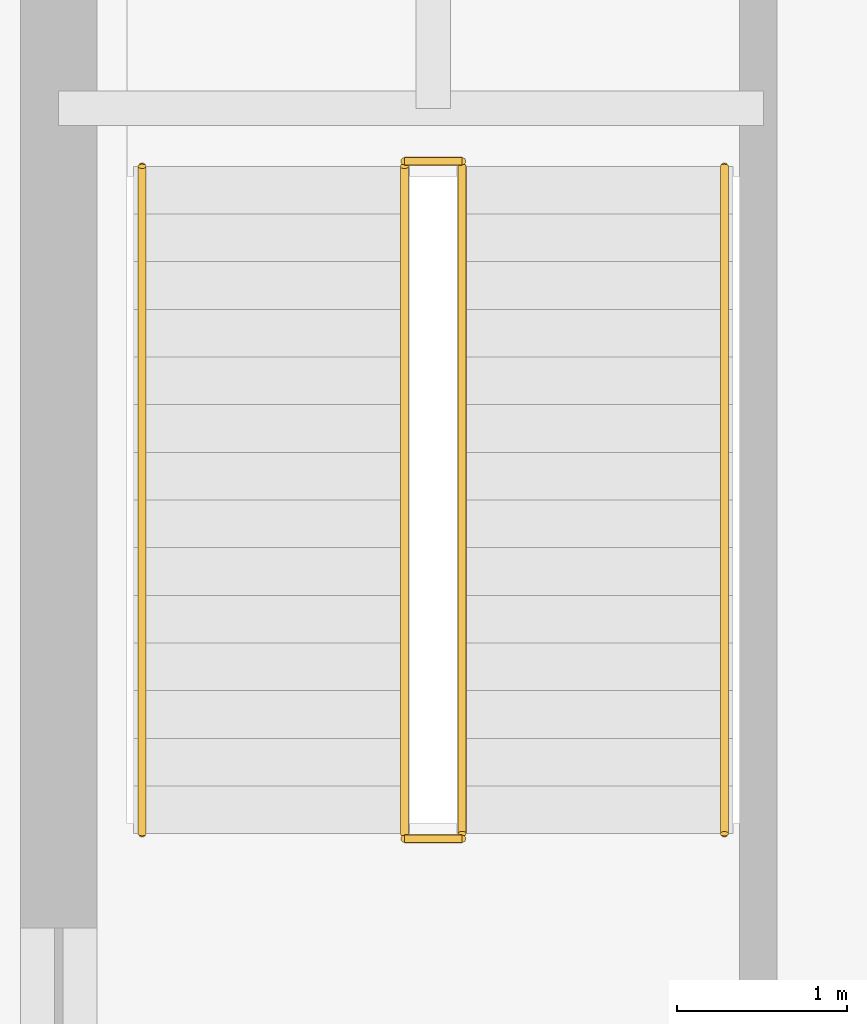
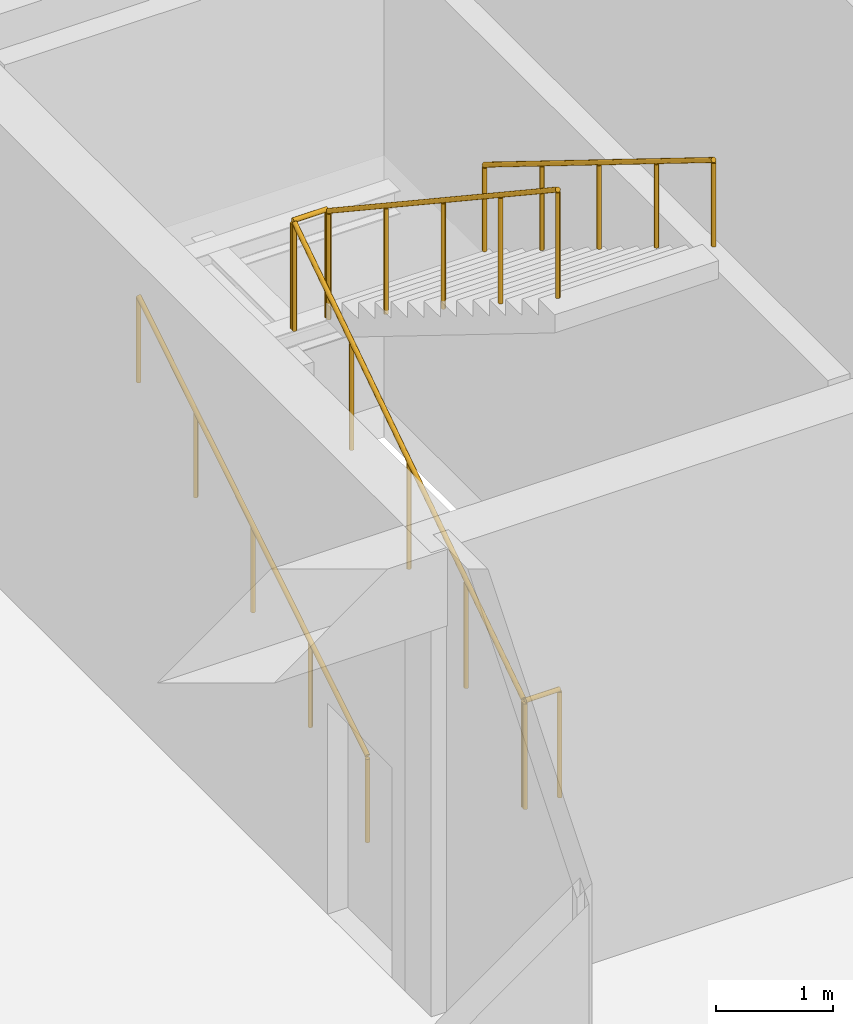
# One storey, part 21 of 24: 6 railings.
"""IFC4 building model written with IfcOpenShell, lengths in metres."""

from ifc_helpers import new_model, si_unit, direction, frame, origin, origin_2d, place, context, subcontext, project, spatial, circle, extrude, material, type_object, element, save


model = new_model("IFC4")

# Units and contexts
model_context = context("Model", 3, precision=1e-05, world=origin(), true_north=direction((0.0, 1.0)))
body_context = subcontext(model_context, "Body", "Model", "MODEL_VIEW")
ifc_project = project(units=[si_unit("LENGTHUNIT", "METRE"), si_unit("AREAUNIT", "SQUARE_METRE"), si_unit("VOLUMEUNIT", "CUBIC_METRE"), si_unit("PLANEANGLEUNIT", "RADIAN"), si_unit("MASSUNIT", "GRAM", prefix="KILO")], contexts=[model_context])

# Site, building, storey
site_placement = place(None, origin())
site = spatial("IfcSite", under=ifc_project, at=site_placement, CompositionType="ELEMENT")
building_placement = place(site_placement, origin())
building = spatial("IfcBuilding", under=site, at=building_placement, Name="Norrvale University Quadrangle", CompositionType="ELEMENT")
storey_placement = place(building_placement, origin())
storey = spatial("IfcBuildingStorey", under=building, at=storey_placement, Name="L00", CompositionType="ELEMENT", Elevation=0.0)

# Railings
ifc_material_1 = material(Name="Steel 350W Painted Balustrade", Category="steel")
railing_type_1 = type_object("IfcRailingType", Name="Railing Stair Guard 1100", PredefinedType="GUARDRAIL", material=ifc_material_1)
for number, where, name in (
    (1, (120.830078125, 21.27001953125, 0.0), "Stair Floor Well Guard ST-L1 L00"),
    (2, (120.830078125, 25.25, 2.60009765625), "Stair Mid-Landing Slot Guard ST-L1 L00"),
):
    element("IfcRailing", number, at=place(storey_placement, frame(where)), inside=storey, type_object=railing_type_1, Name=name, PredefinedType="GUARDRAIL", context=body_context, shape_type="SweptSolid", body=[
        extrude(circle(Radius=0.02392578125, at=origin_2d()), frame((0.0, 0.0, 1.1259765625), z_axis=(1.0, 0.0, 0.0), x_axis=(0.0, 1.0, 0.0)), (0.0, 0.0, 1.0), 0.33984375),
        extrude(circle(Radius=0.02099609375, at=origin_2d()), origin(), (0.0, 0.0, 1.0), 1.101806640625),
        extrude(circle(Radius=0.02099609375, at=origin_2d()), frame((0.33984375, 0.0, 0.0)), (0.0, 0.0, 1.0), 1.101806640625),
    ])
railing_1_placement = place(storey_placement, frame((120.830078125, 21.300048828125, 0.0)))
element("IfcRailing", 3, at=railing_1_placement, inside=storey, type_object=railing_type_1, Name="Stair Lower Flight Inner Guard ST-L1 L00", PredefinedType="GUARDRAIL", context=body_context, shape_type="SweptSolid", body=[
    extrude(circle(Radius=0.02392578125, at=origin_2d()), frame((0.0, 0.0, 1.1259765625), z_axis=(0.0, 0.833341594215, 0.552758344444), x_axis=(-1.0, 0.0, 0.0)), (0.0, 0.0, 1.0), 4.703857421875),
    extrude(circle(Radius=0.02099609375, at=origin_2d()), origin(), (0.0, 0.0, 1.0), 1.101806640625),
    extrude(circle(Radius=0.02099609375, at=origin_2d()), frame((0.0, 0.97998046875, 0.64990234375)), (0.0, 0.0, 1.0), 1.101806640625),
    extrude(circle(Radius=0.02099609375, at=origin_2d()), frame((0.0, 1.9599609375, 1.300048828125)), (0.0, 0.0, 1.0), 1.101806640625),
    extrude(circle(Radius=0.02099609375, at=origin_2d()), frame((0.0, 2.93994140625, 1.9501953125)), (0.0, 0.0, 1.0), 1.101806640625),
    extrude(circle(Radius=0.02099609375, at=origin_2d()), frame((0.0, 3.919921875, 2.60009765625)), (0.0, 0.0, 1.0), 1.101806640625),
])
railing_2_placement = place(storey_placement, frame((121.169921875, 25.219970703125, 2.60009765625)))
element("IfcRailing", 4, at=railing_2_placement, inside=storey, type_object=railing_type_1, Name="Stair Upper Flight Inner Guard ST-L1 L00", PredefinedType="GUARDRAIL", context=body_context, shape_type="SweptSolid", body=[
    extrude(circle(Radius=0.02392578125, at=origin_2d()), frame((0.0, 0.0, 1.1259765625), z_axis=(0.0, -0.833365502166, 0.552722298989), x_axis=(1.0, 0.0, 0.0)), (0.0, 0.0, 1.0), 4.70361328125),
    extrude(circle(Radius=0.02099609375, at=origin_2d()), origin(), (0.0, 0.0, 1.0), 1.101806640625),
    extrude(circle(Radius=0.02099609375, at=origin_2d()), frame((0.0, -0.97998046875, 0.64990234375)), (0.0, 0.0, 1.0), 1.101806640625),
    extrude(circle(Radius=0.02099609375, at=origin_2d()), frame((0.0, -1.9599609375, 1.2998046875)), (0.0, 0.0, 1.0), 1.101806640625),
    extrude(circle(Radius=0.02099609375, at=origin_2d()), frame((0.0, -2.93994140625, 1.949951171875)), (0.0, 0.0, 1.0), 1.101806640625),
    extrude(circle(Radius=0.02099609375, at=origin_2d()), frame((0.0, -3.919921875, 2.599853515625)), (0.0, 0.0, 1.0), 1.101806640625),
])
ifc_material_2 = material(Name="Stainless Steel 316L Handrail", Category="steel")
railing_type_2 = type_object("IfcRailingType", Name="Railing Stair Handrail 920", PredefinedType="HANDRAIL", material=ifc_material_2)
railing_3_placement = place(storey_placement, frame((119.2900390625, 21.300048828125, 0.17333984375)))
element("IfcRailing", 5, at=railing_3_placement, inside=storey, type_object=railing_type_2, Name="Stair Lower Flight Handrail ST-L1 L00", PredefinedType="HANDRAIL", context=body_context, shape_type="SweptSolid", body=[
    extrude(circle(Radius=0.02392578125, at=origin_2d()), frame((0.0, 0.0, 0.89599609375), z_axis=(0.0, 0.850251603719, 0.526376491091), x_axis=(-1.0, 0.0, 0.0)), (0.0, 0.0, 1.0), 4.6103515625),
    extrude(circle(Radius=0.02099609375, at=origin_2d()), origin(), (0.0, 0.0, 1.0), 0.871826171875),
    extrude(circle(Radius=0.02099609375, at=origin_2d()), frame((0.0, 0.97998046875, 0.606689453125)), (0.0, 0.0, 1.0), 0.871826171875),
    extrude(circle(Radius=0.02099609375, at=origin_2d()), frame((0.0, 1.9599609375, 1.21337890625)), (0.0, 0.0, 1.0), 0.871826171875),
    extrude(circle(Radius=0.02099609375, at=origin_2d()), frame((0.0, 2.93994140625, 1.820068359375)), (0.0, 0.0, 1.0), 0.871826171875),
    extrude(circle(Radius=0.02099609375, at=origin_2d()), frame((0.0, 3.919921875, 2.4267578125)), (0.0, 0.0, 1.0), 0.871826171875),
])
railing_4_placement = place(storey_placement, frame((122.7099609375, 25.219970703125, 2.773193359375)))
element("IfcRailing", 6, at=railing_4_placement, inside=storey, type_object=railing_type_2, Name="Stair Upper Flight Handrail ST-L1 L00", PredefinedType="HANDRAIL", context=body_context, shape_type="SweptSolid", body=[
    extrude(circle(Radius=0.02392578125, at=origin_2d()), frame((0.0, 0.0, 0.89599609375), z_axis=(0.0, -0.850251603719, 0.526376491091), x_axis=(1.0, 0.0, 0.0)), (0.0, 0.0, 1.0), 4.6103515625),
    extrude(circle(Radius=0.02099609375, at=origin_2d()), origin(), (0.0, 0.0, 1.0), 0.871826171875),
    extrude(circle(Radius=0.02099609375, at=origin_2d()), frame((0.0, -0.97998046875, 0.606689453125)), (0.0, 0.0, 1.0), 0.871826171875),
    extrude(circle(Radius=0.02099609375, at=origin_2d()), frame((0.0, -1.9599609375, 1.21337890625)), (0.0, 0.0, 1.0), 0.871826171875),
    extrude(circle(Radius=0.02099609375, at=origin_2d()), frame((0.0, -2.93994140625, 1.820068359375)), (0.0, 0.0, 1.0), 0.871826171875),
    extrude(circle(Radius=0.02099609375, at=origin_2d()), frame((0.0, -3.919921875, 2.4267578125)), (0.0, 0.0, 1.0), 0.871826171875),
])

save(model, "model.ifc")
